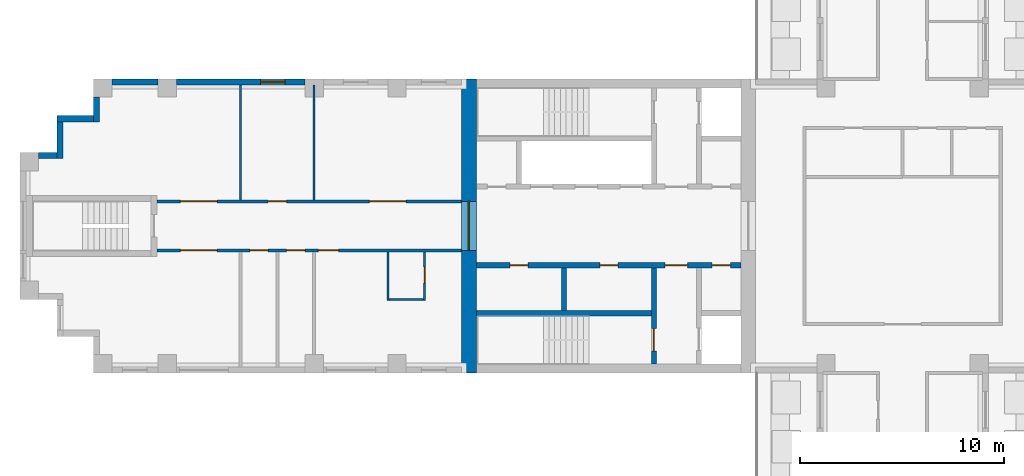
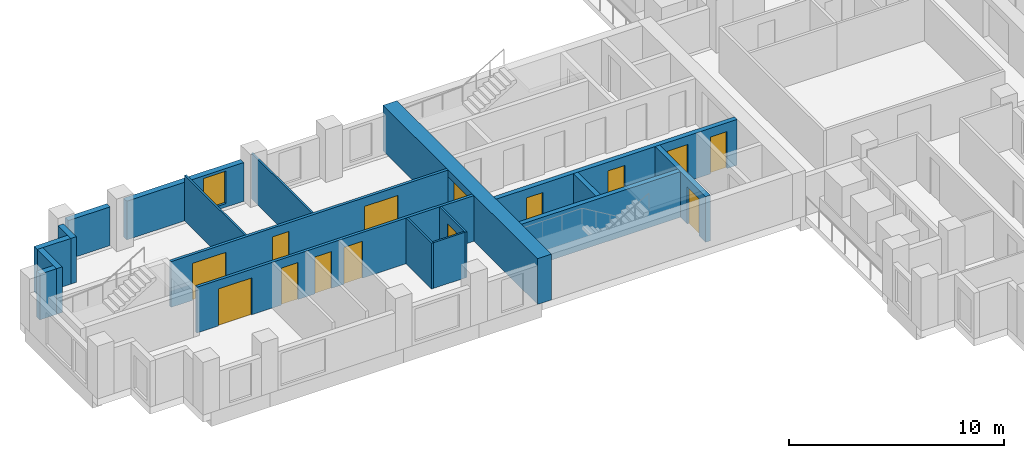
# One storey, part 3 of 11: 18 walls, 14 doors, 1 window, 15 openings.
"""IFC4 building model written with IfcOpenShell, lengths in metres."""

import ifcopenshell
import ifcopenshell.guid

model = None  # the IFC model being written
_history = None  # IfcOwnerHistory: only IFC2X3 demands one
_inside = {}  # id of a spatial element -> (the spatial element, [elements in it])
_under = {}  # id of a project, library or spatial element -> (it, [spatial elements below it])
_declared = {}  # id of a project -> (the project, [libraries it declares])
_typed = {}  # id of a type object -> (the type object, [elements of that type])
_made_of = {}  # id of a material, layer set ... -> (it, [elements and type objects made of it])


def new_model(schema):
    """Start an empty IFC model of exactly this schema.

    Asked for "IFC4X3", IfcOpenShell would pick the latest addendum, in which some entities
    have other attributes; the version numbers below select the first issue.
    IFC2X3 requires an IfcOwnerHistory on every rooted entity: one is made here for all.
    """
    global model, _history
    if schema == "IFC4X3":
        model = ifcopenshell.file(schema_version=(4, 3, 0, 0))
    else:
        model = ifcopenshell.file(schema=schema)
    _inside.clear()
    _under.clear()
    _declared.clear()
    _typed.clear()
    _made_of.clear()
    _history = None
    if model.schema == "IFC2X3":
        org = make("IfcOrganization", Name="unknown")
        user = make(
            "IfcPersonAndOrganization",
            ThePerson=make("IfcPerson", FamilyName="unknown"),
            TheOrganization=org,
        )
        app = make(
            "IfcApplication",
            ApplicationDeveloper=org,
            Version="unknown",
            ApplicationFullName="unknown",
            ApplicationIdentifier="unknown",
        )
        _history = make(
            "IfcOwnerHistory",
            OwningUser=user,
            OwningApplication=app,
            ChangeAction="ADDED",
            CreationDate=0,
        )
    return model


def make(cls, **values):
    """One entity of the class cls with the attributes given. An attribute that is None is left unset."""
    return model.create_entity(
        cls, **{name: value for name, value in values.items() if value is not None}
    )


def rooted(cls, **values):
    """An entity with a GlobalId (a new one), such as an element, a storey or a relation."""
    return make(cls, GlobalId=ifcopenshell.guid.new(), OwnerHistory=_history, **values)


def si_unit(unit_type, name, prefix=None):
    """IfcSIUnit, for example si_unit("LENGTHUNIT", "METRE", prefix="MILLI")."""
    return make("IfcSIUnit", UnitType=unit_type, Prefix=prefix, Name=name)


def assignment(units):
    """IfcUnitAssignment: the units of a project."""
    return None if units is None else make("IfcUnitAssignment", Units=units)


def point(xyz):
    """IfcCartesianPoint."""
    return None if xyz is None else make("IfcCartesianPoint", Coordinates=xyz)


def direction(xyz):
    """IfcDirection."""
    return None if xyz is None else make("IfcDirection", DirectionRatios=xyz)


def frame(location, z_axis=None, x_axis=None):
    """IfcAxis2Placement3D, a coordinate frame: its origin and axes. An axis left out is left unset."""
    return make(
        "IfcAxis2Placement3D",
        Location=point(location),
        Axis=direction(z_axis),
        RefDirection=direction(x_axis),
    )


def frame_2d(location, x_axis=None):
    """IfcAxis2Placement2D, a coordinate frame in the plane: its origin and x axis."""
    return make(
        "IfcAxis2Placement2D", Location=point(location), RefDirection=direction(x_axis)
    )


def origin():
    """The frame at (0, 0, 0) with its axes left unset."""
    return frame((0.0, 0.0, 0.0))


def place(relative_to, where):
    """IfcLocalPlacement: puts the frame where relative to a parent placement (None: the world)."""
    return make(
        "IfcLocalPlacement", PlacementRelTo=relative_to, RelativePlacement=where
    )


def context(
    kind, dimensions, precision=None, world=None, true_north=None, identifier=None
):
    """IfcGeometricRepresentationContext, for example the 3D "Model" context."""
    return make(
        "IfcGeometricRepresentationContext",
        ContextIdentifier=identifier,
        ContextType=kind,
        CoordinateSpaceDimension=dimensions,
        Precision=precision,
        WorldCoordinateSystem=world,
        TrueNorth=true_north,
    )


def subcontext(parent, identifier, kind, view, scale=None):
    """IfcGeometricRepresentationSubContext, for example "Body" below "Model"."""
    return make(
        "IfcGeometricRepresentationSubContext",
        ContextIdentifier=identifier,
        ContextType=kind,
        ParentContext=parent,
        TargetScale=scale,
        TargetView=view,
    )


def project(units=None, contexts=None):
    """IfcProject with its units and contexts."""
    return rooted(
        "IfcProject",
        Name="project",
        RepresentationContexts=contexts,
        UnitsInContext=assignment(units),
    )


def spatial(cls, under=None, at=None, **own):
    """A site, building, storey or space (cls), placed at a placement, below another one or the project."""
    s = rooted(cls, ObjectPlacement=at, **own)
    if under is not None:
        _under.setdefault(under.id(), (under, []))[1].append(s)
    return s


def profile(cls, at=None, kind="AREA", **sizes):
    """A parametric profile (cls). Its sizes go by their IFC names, for example OverallWidth=200.0."""
    return make(cls, ProfileType=kind, Position=at, **sizes)


def rectangle(**sizes):
    """IfcRectangleProfileDef."""
    return profile("IfcRectangleProfileDef", **sizes)


def extrude(swept, where, along, depth):
    """IfcExtrudedAreaSolid: the profile swept, set in the frame where, extruded along a direction by depth."""
    return make(
        "IfcExtrudedAreaSolid",
        SweptArea=swept,
        Position=where,
        ExtrudedDirection=direction(along),
        Depth=depth,
    )


def shape(context_of_items, identifier, shape_type, items):
    """IfcShapeRepresentation: the items that make up one representation, for example the "Body"."""
    return make(
        "IfcShapeRepresentation",
        ContextOfItems=context_of_items,
        RepresentationIdentifier=identifier,
        RepresentationType=shape_type,
        Items=items,
    )


def material(Name=None, Category=None):
    """IfcMaterial."""
    return make("IfcMaterial", Name=Name, Category=Category)


def layer(
    of_material, thickness, ventilated=None, Name=None, Category=None, Priority=None
):
    """IfcMaterialLayer: one layer of a wall or slab, of a material (None: an air gap)."""
    return make(
        "IfcMaterialLayer",
        Material=of_material,
        LayerThickness=thickness,
        IsVentilated=ventilated,
        Name=Name,
        Category=Category,
        Priority=Priority,
    )


def layer_set(layers, Name=None):
    """IfcMaterialLayerSet."""
    return make("IfcMaterialLayerSet", MaterialLayers=layers, LayerSetName=Name)


def made_of(thing, what):
    """Note that an element or type object is made of a material, layer set ...; save() writes the relation."""
    if what is not None:
        _made_of.setdefault(what.id(), (what, []))[1].append(thing)
    return thing


def type_object(cls, material=None, **own):
    """A type object (cls), such as IfcWallType, which elements share."""
    return made_of(rooted(cls, **own), material)


def element(
    cls,
    number,
    at=None,
    inside=None,
    cuts=None,
    type_object=None,
    material=None,
    context=None,
    identifier="Body",
    shape_type=None,
    held_by="IfcProductDefinitionShape",
    body=None,
    shapes=None,
    **own,
):
    """One element of the class cls, such as IfcWall. Its Tag is "e" and its number.

    at: its placement. inside: the storey or other place that contains it. cuts: it is an
    opening in that element (IfcRelVoidsElement). A single representation is given by context,
    identifier, shape_type and body (its items); several are given by shapes. held_by: the class
    of the entity that holds the representations. save() writes the other relations.
    """
    e = rooted(cls, Tag="e%d" % number, ObjectPlacement=at, **own)
    if body is not None:
        shapes = [shape(context, identifier, shape_type, body)]
    if shapes is not None:
        e.Representation = make(held_by, Representations=shapes)
    if inside is not None:
        _inside.setdefault(inside.id(), (inside, []))[1].append(e)
    if cuts is not None:
        rooted(
            "IfcRelVoidsElement", RelatingBuildingElement=cuts, RelatedOpeningElement=e
        )
    if type_object is not None:
        _typed.setdefault(type_object.id(), (type_object, []))[1].append(e)
    return made_of(e, material)


def fill(opening, filler):
    """IfcRelFillsElement: the door or window that sits in an opening."""
    return rooted(
        "IfcRelFillsElement",
        RelatingOpeningElement=opening,
        RelatedBuildingElement=filler,
    )


def aggregate(whole, parts):
    """IfcRelAggregates: a whole, such as a stair, and the parts it consists of."""
    return rooted("IfcRelAggregates", RelatingObject=whole, RelatedObjects=parts)


def save(model, path):
    """Write the relations noted so far, then the file.

    IfcRelAggregates (storeys below a building ...), IfcRelContainedInSpatialStructure (elements
    in a storey), IfcRelDefinesByType, IfcRelAssociatesMaterial and IfcRelDeclares: one each for
    every whole, place, type object, material and project.
    """
    for whole, parts in _under.values():
        aggregate(whole, parts)
    for where, things in _inside.values():
        rooted(
            "IfcRelContainedInSpatialStructure",
            RelatedElements=things,
            RelatingStructure=where,
        )
    for kind, things in _typed.values():
        rooted("IfcRelDefinesByType", RelatedObjects=things, RelatingType=kind)
    for what, things in _made_of.values():
        rooted("IfcRelAssociatesMaterial", RelatedObjects=things, RelatingMaterial=what)
    for by, libraries in _declared.values():
        rooted("IfcRelDeclares", RelatingContext=by, RelatedDefinitions=libraries)
    model.write(path)


model = new_model("IFC4")

# Units and contexts
model_context = context("Model", 3, precision=1e-05, world=origin(), true_north=direction((0.0, 1.0)))
body_context = subcontext(model_context, "Body", "Model", "MODEL_VIEW")
ifc_project = project(units=[si_unit("LENGTHUNIT", "METRE"), si_unit("AREAUNIT", "SQUARE_METRE"), si_unit("VOLUMEUNIT", "CUBIC_METRE"), si_unit("PLANEANGLEUNIT", "RADIAN"), si_unit("MASSUNIT", "GRAM", prefix="KILO")], contexts=[model_context])

# Site, building, storey
site_placement = place(None, origin())
site = spatial("IfcSite", under=ifc_project, at=site_placement, CompositionType="ELEMENT")
building_placement = place(site_placement, origin())
building = spatial("IfcBuilding", under=site, at=building_placement, Name="Fustian Cross Tower", CompositionType="ELEMENT")
storey_placement = place(building_placement, frame((0.0, 0.0, 138.300048828125)))
storey = spatial("IfcBuildingStorey", under=building, at=storey_placement, Name="L43", CompositionType="ELEMENT", Elevation=138.300048828125)

# Wall, openings, doors
ifc_material_1 = material(Name="Plasterboard on steel stud", Category="steel")
ifc_layer_1 = layer(ifc_material_1, 0.14990234375)
ifc_layer_set_1 = layer_set([ifc_layer_1], Name="Plasterboard on steel stud")
wall_type_1 = type_object("IfcWallType", Name="COMPARTMENT WALL 150 EI 60", PredefinedType="PARTITIONING", material=ifc_layer_set_1)
wall_1_placement = place(storey_placement, frame((-36.5, -1.199951171875, 0.0), z_axis=(0.0, 0.0, 1.0), x_axis=(1.0, 0.0, 0.0)))
wall_1 = element("IfcWall", 1, at=wall_1_placement, inside=storey, type_object=wall_type_1, Name="Partition 1", PredefinedType="PARTITIONING", context=body_context, shape_type="SweptSolid", body=[
    extrude(rectangle(XDim=14.89990234375, YDim=0.14990234375, at=frame_2d((7.449951171875, 0.0))), origin(), (0.0, 0.0, 1.0), 2.599853515625),
])
opening_1_placement = place(wall_1_placement, frame((7.89990234375, 0.0, 0.0)))
opening_1 = element("IfcOpeningElement", 2, at=opening_1_placement, cuts=wall_1, Name="Opening D20021", PredefinedType="OPENING", context=body_context, shape_type="SweptSolid", body=[
    extrude(rectangle(XDim=1.0, YDim=2.10009765625, at=frame_2d((0.5, 1.050048828125))), frame((0.0, 0.0849609375, 0.0), z_axis=(0.0, -1.0, 0.0), x_axis=(1.0, 0.0, 0.0)), (0.0, 0.0, 1.0), 0.169921875),
])
opening_2_placement = place(wall_1_placement, frame((6.35009765625, 0.0, 0.0)))
opening_2 = element("IfcOpeningElement", 3, at=opening_2_placement, cuts=wall_1, Name="Opening D20022", PredefinedType="OPENING", context=body_context, shape_type="SweptSolid", body=[
    extrude(rectangle(XDim=0.89990234375, YDim=2.10009765625, at=frame_2d((0.449951171875, 1.050048828125))), frame((0.0, 0.0849609375, 0.0), z_axis=(0.0, -1.0, 0.0), x_axis=(1.0, 0.0, 0.0)), (0.0, 0.0, 1.0), 0.169921875),
])
opening_3_placement = place(wall_1_placement, frame((4.550048828125, 0.0, 0.0)))
opening_3 = element("IfcOpeningElement", 4, at=opening_3_placement, cuts=wall_1, Name="Opening D20023", PredefinedType="OPENING", context=body_context, shape_type="SweptSolid", body=[
    extrude(rectangle(XDim=0.89990234375, YDim=2.10009765625, at=frame_2d((0.449951171875, 1.050048828125))), frame((0.0, 0.0849609375, 0.0), z_axis=(0.0, -1.0, 0.0), x_axis=(1.0, 0.0, 0.0)), (0.0, 0.0, 1.0), 0.169921875),
])
opening_4_placement = place(wall_1_placement, frame((1.14990234375, 0.0, 0.0)))
opening_4 = element("IfcOpeningElement", 5, at=opening_4_placement, cuts=wall_1, Name="Opening D20024", PredefinedType="OPENING", context=body_context, shape_type="SweptSolid", body=[
    extrude(rectangle(XDim=1.800048828125, YDim=2.10009765625, at=frame_2d((0.89990234375, 1.050048828125))), frame((0.0, 0.0849609375, 0.0), z_axis=(0.0, -1.0, 0.0), x_axis=(1.0, 0.0, 0.0)), (0.0, 0.0, 1.0), 0.169921875),
])
ifc_material_2 = material(Name="Timber fire door set", Category="wood")
door_type_1 = type_object("IfcDoorType", Name="FIRE DOUBLE DOOR 1800 FD30S", OperationType="DOUBLE_DOOR_DOUBLE_SWING", PredefinedType="DOOR", material=ifc_material_2)
door_1_placement = place(opening_4_placement, origin())
door_1 = element("IfcDoor", 6, at=door_1_placement, inside=storey, type_object=door_type_1, Name="Door D20024", OperationType="DOUBLE_DOOR_DOUBLE_SWING", OverallHeight=2.10009765625, OverallWidth=1.800048828125, PredefinedType="DOOR", context=body_context, shape_type="SweptSolid", body=[
    extrude(rectangle(XDim=1.800048828125, YDim=2.10009765625, at=frame_2d((0.89990234375, 1.050048828125))), frame((0.0, 0.02490234375, 0.0), z_axis=(0.0, -1.0, 0.0), x_axis=(1.0, 0.0, 0.0)), (0.0, 0.0, 1.0), 0.050048828125),
])
fill(opening_4, door_1)
ifc_material_3 = material(Name="Timber fire door set", Category="wood")
door_type_2 = type_object("IfcDoorType", Name="FIRE SWING DOOR 1000 FD30S", OperationType="SINGLE_SWING_LEFT", PredefinedType="DOOR", material=ifc_material_3)
door_2_placement = place(opening_1_placement, frame((1.0, 0.0, 0.0), z_axis=(0.0, 0.0, 1.0), x_axis=(-1.0, 0.0, 0.0)))
door_2 = element("IfcDoor", 7, at=door_2_placement, inside=storey, type_object=door_type_2, Name="Door D20021", OperationType="SINGLE_SWING_RIGHT", OverallHeight=2.10009765625, OverallWidth=1.0, PredefinedType="DOOR", context=body_context, shape_type="SweptSolid", body=[
    extrude(rectangle(XDim=1.0, YDim=2.10009765625, at=frame_2d((0.5, 1.050048828125))), frame((0.0, 0.02490234375, 0.0), z_axis=(0.0, -1.0, 0.0), x_axis=(1.0, 0.0, 0.0)), (0.0, 0.0, 1.0), 0.050048828125),
])
fill(opening_1, door_2)
ifc_material_4 = material(Name="Timber fire door set", Category="wood")
door_type_3 = type_object("IfcDoorType", Name="FIRE SWING DOOR 900 FD30S", OperationType="SINGLE_SWING_LEFT", PredefinedType="DOOR", material=ifc_material_4)
door_3_placement = place(opening_2_placement, origin())
door_3 = element("IfcDoor", 8, at=door_3_placement, inside=storey, type_object=door_type_3, Name="Door D20022", OperationType="SINGLE_SWING_LEFT", OverallHeight=2.10009765625, OverallWidth=0.89990234375, PredefinedType="DOOR", context=body_context, shape_type="SweptSolid", body=[
    extrude(rectangle(XDim=0.89990234375, YDim=2.10009765625, at=frame_2d((0.449951171875, 1.050048828125))), frame((0.0, 0.02490234375, 0.0), z_axis=(0.0, -1.0, 0.0), x_axis=(1.0, 0.0, 0.0)), (0.0, 0.0, 1.0), 0.050048828125),
])
fill(opening_2, door_3)
door_4_placement = place(opening_3_placement, frame((0.89990234375, 0.0, 0.0), z_axis=(0.0, 0.0, 1.0), x_axis=(-1.0, 0.0, 0.0)))
door_4 = element("IfcDoor", 9, at=door_4_placement, inside=storey, type_object=door_type_3, Name="Door D20023", OperationType="SINGLE_SWING_LEFT", OverallHeight=2.10009765625, OverallWidth=0.89990234375, PredefinedType="DOOR", context=body_context, shape_type="SweptSolid", body=[
    extrude(rectangle(XDim=0.89990234375, YDim=2.10009765625, at=frame_2d((0.449951171875, 1.050048828125))), frame((0.0, 0.02490234375, 0.0), z_axis=(0.0, -1.0, 0.0), x_axis=(1.0, 0.0, 0.0)), (0.0, 0.0, 1.0), 0.050048828125),
])
fill(opening_3, door_4)

wall_2_placement = place(storey_placement, frame((-36.5, 1.199951171875, 0.0), z_axis=(0.0, 0.0, 1.0), x_axis=(1.0, 0.0, 0.0)))
wall_2 = element("IfcWall", 10, at=wall_2_placement, inside=storey, type_object=wall_type_1, Name="Partition 2", PredefinedType="PARTITIONING", context=body_context, shape_type="SweptSolid", body=[
    extrude(rectangle(XDim=14.89990234375, YDim=0.14990234375, at=frame_2d((7.449951171875, 0.0))), origin(), (0.0, 0.0, 1.0), 2.599853515625),
])
opening_5_placement = place(wall_2_placement, frame((10.39990234375, 0.0, 0.0)))
opening_5 = element("IfcOpeningElement", 11, at=opening_5_placement, cuts=wall_2, Name="Opening D20025", PredefinedType="OPENING", context=body_context, shape_type="SweptSolid", body=[
    extrude(rectangle(XDim=1.800048828125, YDim=2.10009765625, at=frame_2d((0.89990234375, 1.050048828125))), frame((0.0, 0.0849609375, 0.0), z_axis=(0.0, -1.0, 0.0), x_axis=(1.0, 0.0, 0.0)), (0.0, 0.0, 1.0), 0.169921875),
])
opening_6_placement = place(wall_2_placement, frame((5.449951171875, 0.0, 0.0)))
opening_6 = element("IfcOpeningElement", 12, at=opening_6_placement, cuts=wall_2, Name="Opening D20026", PredefinedType="OPENING", context=body_context, shape_type="SweptSolid", body=[
    extrude(rectangle(XDim=0.89990234375, YDim=2.10009765625, at=frame_2d((0.449951171875, 1.050048828125))), frame((0.0, 0.0849609375, 0.0), z_axis=(0.0, -1.0, 0.0), x_axis=(1.0, 0.0, 0.0)), (0.0, 0.0, 1.0), 0.169921875),
])
opening_7_placement = place(wall_2_placement, frame((1.14990234375, 0.0, 0.0)))
opening_7 = element("IfcOpeningElement", 13, at=opening_7_placement, cuts=wall_2, Name="Opening D20027", PredefinedType="OPENING", context=body_context, shape_type="SweptSolid", body=[
    extrude(rectangle(XDim=1.800048828125, YDim=2.10009765625, at=frame_2d((0.89990234375, 1.050048828125))), frame((0.0, 0.0849609375, 0.0), z_axis=(0.0, -1.0, 0.0), x_axis=(1.0, 0.0, 0.0)), (0.0, 0.0, 1.0), 0.169921875),
])
door_5_placement = place(opening_5_placement, frame((1.800048828125, 0.0, 0.0), z_axis=(0.0, 0.0, 1.0), x_axis=(-1.0, 0.0, 0.0)))
door_5 = element("IfcDoor", 14, at=door_5_placement, inside=storey, type_object=door_type_1, Name="Door D20025", OperationType="DOUBLE_DOOR_DOUBLE_SWING", OverallHeight=2.10009765625, OverallWidth=1.800048828125, PredefinedType="DOOR", context=body_context, shape_type="SweptSolid", body=[
    extrude(rectangle(XDim=1.800048828125, YDim=2.10009765625, at=frame_2d((0.89990234375, 1.050048828125))), frame((0.0, 0.02490234375, 0.0), z_axis=(0.0, -1.0, 0.0), x_axis=(1.0, 0.0, 0.0)), (0.0, 0.0, 1.0), 0.050048828125),
])
fill(opening_5, door_5)
door_6_placement = place(opening_7_placement, frame((1.800048828125, 0.0, 0.0), z_axis=(0.0, 0.0, 1.0), x_axis=(-1.0, 0.0, 0.0)))
door_6 = element("IfcDoor", 15, at=door_6_placement, inside=storey, type_object=door_type_1, Name="Door D20027", OperationType="DOUBLE_DOOR_DOUBLE_SWING", OverallHeight=2.10009765625, OverallWidth=1.800048828125, PredefinedType="DOOR", context=body_context, shape_type="SweptSolid", body=[
    extrude(rectangle(XDim=1.800048828125, YDim=2.10009765625, at=frame_2d((0.89990234375, 1.050048828125))), frame((0.0, 0.02490234375, 0.0), z_axis=(0.0, -1.0, 0.0), x_axis=(1.0, 0.0, 0.0)), (0.0, 0.0, 1.0), 0.050048828125),
])
fill(opening_7, door_6)
door_7_placement = place(opening_6_placement, origin())
door_7 = element("IfcDoor", 16, at=door_7_placement, inside=storey, type_object=door_type_3, Name="Door D20026", OperationType="SINGLE_SWING_LEFT", OverallHeight=2.10009765625, OverallWidth=0.89990234375, PredefinedType="DOOR", context=body_context, shape_type="SweptSolid", body=[
    extrude(rectangle(XDim=0.89990234375, YDim=2.10009765625, at=frame_2d((0.449951171875, 1.050048828125))), frame((0.0, 0.02490234375, 0.0), z_axis=(0.0, -1.0, 0.0), x_axis=(1.0, 0.0, 0.0)), (0.0, 0.0, 1.0), 0.050048828125),
])
fill(opening_6, door_7)

# Wall, opening, door
ifc_material_5 = material(Name="Concrete C60/75", Category="concrete")
ifc_layer_2 = layer(ifc_material_5, 0.75)
ifc_layer_set_2 = layer_set([ifc_layer_2], Name="Concrete C60/75")
wall_type_2 = type_object("IfcWallType", Name="CORE END WALL 750 C60/75", PredefinedType="SHEAR", material=ifc_layer_set_2)
wall_3_placement = place(storey_placement, frame((-21.22509765625, -7.199951171875, 0.0), z_axis=(0.0, 0.0, 1.0), x_axis=(0.0, 1.0, 0.0)))
wall_3 = element("IfcWall", 17, at=wall_3_placement, inside=storey, type_object=wall_type_2, Name="Core end wall", PredefinedType="SHEAR", context=body_context, shape_type="SweptSolid", body=[
    extrude(rectangle(XDim=14.39990234375, YDim=0.75, at=frame_2d((7.199951171875, 0.0))), origin(), (0.0, 0.0, 1.0), 2.599853515625),
])
opening_8_placement = place(wall_3_placement, frame((6.0, 0.0, 0.0)))
opening_8 = element("IfcOpeningElement", 18, at=opening_8_placement, cuts=wall_3, Name="Opening CD-18-29", PredefinedType="OPENING", context=body_context, shape_type="SweptSolid", body=[
    extrude(rectangle(XDim=2.39990234375, YDim=2.199951171875, at=frame_2d((1.199951171875, 1.10009765625))), frame((0.0, 0.385009765625, 0.0), z_axis=(0.0, -1.0, 0.0), x_axis=(1.0, 0.0, 0.0)), (0.0, 0.0, 1.0), 0.77001953125),
])
ifc_material_6 = material(Name="Steel", Category="steel")
door_type_4 = type_object("IfcDoorType", Name="FIRE DOOR FD30S DOUBLE 2400X2200", OperationType="DOUBLE_DOOR_DOUBLE_SWING", PredefinedType="DOOR", material=ifc_material_6)
door_8_placement = place(opening_8_placement, frame((2.39990234375, 0.0, 0.0), z_axis=(0.0, 0.0, 1.0), x_axis=(-1.0, 0.0, 0.0)))
door_8 = element("IfcDoor", 19, at=door_8_placement, inside=storey, type_object=door_type_4, Name="Core door CD-18-29", OperationType="DOUBLE_DOOR_DOUBLE_SWING", OverallHeight=2.199951171875, OverallWidth=2.39990234375, PredefinedType="DOOR", context=body_context, shape_type="SweptSolid", body=[
    extrude(rectangle(XDim=2.39990234375, YDim=2.199951171875, at=frame_2d((1.199951171875, 1.10009765625))), frame((0.0, 0.02490234375, 0.0), z_axis=(0.0, -1.0, 0.0), x_axis=(1.0, 0.0, 0.0)), (0.0, 0.0, 1.0), 0.050048828125),
])
fill(opening_8, door_8)

# Wall, openings, doors
ifc_material_7 = material(Name="Concrete C50/60", Category="concrete")
ifc_layer_3 = layer(ifc_material_7, 0.25)
ifc_layer_set_3 = layer_set([ifc_layer_3], Name="Concrete C50/60")
wall_type_3 = type_object("IfcWallType", Name="CORE LOBBY WALL 250 C50/60", PredefinedType="SHEAR", material=ifc_layer_set_3)
wall_4_placement = place(storey_placement, frame((-7.89990234375, -1.925048828125, 0.0), z_axis=(0.0, 0.0, 1.0), x_axis=(-1.0, 0.0, 0.0)))
wall_4 = element("IfcWall", 20, at=wall_4_placement, inside=storey, type_object=wall_type_3, Name="Core lobby wall", PredefinedType="SHEAR", context=body_context, shape_type="SweptSolid", body=[
    extrude(rectangle(XDim=12.9501953125, YDim=0.25, at=frame_2d((6.47509765625, 0.0))), origin(), (0.0, 0.0, 1.0), 2.599853515625),
])
opening_9_placement = place(wall_4_placement, frame((0.52490234375, 0.0, 0.0)))
opening_9 = element("IfcOpeningElement", 21, at=opening_9_placement, cuts=wall_4, Name="Opening CD-18-25", PredefinedType="OPENING", context=body_context, shape_type="SweptSolid", body=[
    extrude(rectangle(XDim=0.89990234375, YDim=2.10009765625, at=frame_2d((0.449951171875, 1.050048828125))), frame((0.0, 0.135009765625, 0.0), z_axis=(0.0, -1.0, 0.0), x_axis=(1.0, 0.0, 0.0)), (0.0, 0.0, 1.0), 0.27001953125),
])
opening_10_placement = place(wall_4_placement, frame((2.625, 0.0, 0.0)))
opening_10 = element("IfcOpeningElement", 22, at=opening_10_placement, cuts=wall_4, Name="Opening CD-18-27", PredefinedType="OPENING", context=body_context, shape_type="SweptSolid", body=[
    extrude(rectangle(XDim=1.10009765625, YDim=2.10009765625, at=frame_2d((0.550048828125, 1.050048828125))), frame((0.0, 0.135009765625, 0.0), z_axis=(0.0, -1.0, 0.0), x_axis=(1.0, 0.0, 0.0)), (0.0, 0.0, 1.0), 0.27001953125),
])
opening_11_placement = place(wall_4_placement, frame((6.02490234375, 0.0, 0.0)))
opening_11 = element("IfcOpeningElement", 23, at=opening_11_placement, cuts=wall_4, Name="Opening CD-18-31", PredefinedType="OPENING", context=body_context, shape_type="SweptSolid", body=[
    extrude(rectangle(XDim=0.89990234375, YDim=2.10009765625, at=frame_2d((0.449951171875, 1.050048828125))), frame((0.0, 0.135009765625, 0.0), z_axis=(0.0, -1.0, 0.0), x_axis=(1.0, 0.0, 0.0)), (0.0, 0.0, 1.0), 0.27001953125),
])
opening_12_placement = place(wall_4_placement, frame((10.425048828125, 0.0, 0.0)))
opening_12 = element("IfcOpeningElement", 24, at=opening_12_placement, cuts=wall_4, Name="Opening CD-18-32", PredefinedType="OPENING", context=body_context, shape_type="SweptSolid", body=[
    extrude(rectangle(XDim=0.89990234375, YDim=2.10009765625, at=frame_2d((0.449951171875, 1.050048828125))), frame((0.0, 0.135009765625, 0.0), z_axis=(0.0, -1.0, 0.0), x_axis=(1.0, 0.0, 0.0)), (0.0, 0.0, 1.0), 0.27001953125),
])
ifc_material_8 = material(Name="Steel", Category="steel")
door_type_5 = type_object("IfcDoorType", Name="FIRE DOOR FD30S 1100X2100", OperationType="SINGLE_SWING_LEFT", PredefinedType="DOOR", material=ifc_material_8)
door_9_placement = place(opening_10_placement, frame((1.10009765625, 0.0, 0.0), z_axis=(0.0, 0.0, 1.0), x_axis=(-1.0, 0.0, 0.0)))
door_9 = element("IfcDoor", 25, at=door_9_placement, inside=storey, type_object=door_type_5, Name="Core door CD-18-27", OperationType="SINGLE_SWING_RIGHT", OverallHeight=2.10009765625, OverallWidth=1.10009765625, PredefinedType="DOOR", context=body_context, shape_type="SweptSolid", body=[
    extrude(rectangle(XDim=1.10009765625, YDim=2.10009765625, at=frame_2d((0.550048828125, 1.050048828125))), frame((0.0, 0.02490234375, 0.0), z_axis=(0.0, -1.0, 0.0), x_axis=(1.0, 0.0, 0.0)), (0.0, 0.0, 1.0), 0.050048828125),
])
fill(opening_10, door_9)
ifc_material_9 = material(Name="Steel", Category="steel")
door_type_6 = type_object("IfcDoorType", Name="FIRE DOOR FD30S 900X2100", OperationType="SINGLE_SWING_LEFT", PredefinedType="DOOR", material=ifc_material_9)
door_10_placement = place(opening_9_placement, origin())
door_10 = element("IfcDoor", 26, at=door_10_placement, inside=storey, type_object=door_type_6, Name="Core door CD-18-25", OperationType="SINGLE_SWING_LEFT", OverallHeight=2.10009765625, OverallWidth=0.89990234375, PredefinedType="DOOR", context=body_context, shape_type="SweptSolid", body=[
    extrude(rectangle(XDim=0.89990234375, YDim=2.10009765625, at=frame_2d((0.449951171875, 1.050048828125))), frame((0.0, 0.02490234375, 0.0), z_axis=(0.0, -1.0, 0.0), x_axis=(1.0, 0.0, 0.0)), (0.0, 0.0, 1.0), 0.050048828125),
])
fill(opening_9, door_10)
door_11_placement = place(opening_11_placement, origin())
door_11 = element("IfcDoor", 27, at=door_11_placement, inside=storey, type_object=door_type_6, Name="Core door CD-18-31", OperationType="SINGLE_SWING_RIGHT", OverallHeight=2.10009765625, OverallWidth=0.89990234375, PredefinedType="DOOR", context=body_context, shape_type="SweptSolid", body=[
    extrude(rectangle(XDim=0.89990234375, YDim=2.10009765625, at=frame_2d((0.449951171875, 1.050048828125))), frame((0.0, 0.02490234375, 0.0), z_axis=(0.0, -1.0, 0.0), x_axis=(1.0, 0.0, 0.0)), (0.0, 0.0, 1.0), 0.050048828125),
])
fill(opening_11, door_11)
door_12_placement = place(opening_12_placement, origin())
door_12 = element("IfcDoor", 28, at=door_12_placement, inside=storey, type_object=door_type_6, Name="Core door CD-18-32", OperationType="SINGLE_SWING_RIGHT", OverallHeight=2.10009765625, OverallWidth=0.89990234375, PredefinedType="DOOR", context=body_context, shape_type="SweptSolid", body=[
    extrude(rectangle(XDim=0.89990234375, YDim=2.10009765625, at=frame_2d((0.449951171875, 1.050048828125))), frame((0.0, 0.02490234375, 0.0), z_axis=(0.0, -1.0, 0.0), x_axis=(1.0, 0.0, 0.0)), (0.0, 0.0, 1.0), 0.050048828125),
])
fill(opening_12, door_12)

# Wall
ifc_material_10 = material(Name="Concrete C50/60", Category="concrete")
ifc_layer_4 = layer(ifc_material_10, 0.25)
ifc_layer_set_4 = layer_set([ifc_layer_4], Name="Concrete C50/60")
wall_type_4 = type_object("IfcWallType", Name="CORE SHAFT WALL 250 C50/60", PredefinedType="SHEAR", material=ifc_layer_set_4)
wall_5_placement = place(storey_placement, frame((-12.300048828125, -4.27490234375, 0.0), z_axis=(0.0, 0.0, 1.0), x_axis=(-1.0, 0.0, 0.0)))
element("IfcWall", 29, at=wall_5_placement, inside=storey, type_object=wall_type_4, Name="Core shaft wall", PredefinedType="SHEAR", context=body_context, shape_type="SweptSolid", body=[
    extrude(rectangle(XDim=8.550048828125, YDim=0.25, at=frame_2d((4.27490234375, 0.0))), origin(), (0.0, 0.0, 1.0), 2.599853515625),
])

# Wall, opening, door
wall_6_placement = place(storey_placement, frame((-12.175048828125, -2.050048828125, 0.0), z_axis=(0.0, 0.0, 1.0), x_axis=(0.0, -1.0, 0.0)))
wall_6 = element("IfcWall", 30, at=wall_6_placement, inside=storey, type_object=wall_type_4, Name="Core shaft wall", PredefinedType="SHEAR", context=body_context, shape_type="SweptSolid", body=[
    extrude(rectangle(XDim=4.699951171875, YDim=0.25, at=frame_2d((2.35009765625, 0.0))), origin(), (0.0, 0.0, 1.0), 2.599853515625),
])
opening_13_placement = place(wall_6_placement, frame((2.97509765625, 0.0, 0.0)))
opening_13 = element("IfcOpeningElement", 31, at=opening_13_placement, cuts=wall_6, Name="Opening CD-18-23", PredefinedType="OPENING", context=body_context, shape_type="SweptSolid", body=[
    extrude(rectangle(XDim=1.10009765625, YDim=2.10009765625, at=frame_2d((0.550048828125, 1.050048828125))), frame((0.0, 0.135009765625, 0.0), z_axis=(0.0, -1.0, 0.0), x_axis=(1.0, 0.0, 0.0)), (0.0, 0.0, 1.0), 0.27001953125),
])
ifc_material_11 = material(Name="Steel", Category="steel")
door_type_7 = type_object("IfcDoorType", Name="FIRE DOOR FD60S 1100X2100", OperationType="SINGLE_SWING_LEFT", PredefinedType="DOOR", material=ifc_material_11)
door_13_placement = place(opening_13_placement, frame((1.10009765625, 0.0, 0.0), z_axis=(0.0, 0.0, 1.0), x_axis=(-1.0, 0.0, 0.0)))
door_13 = element("IfcDoor", 32, at=door_13_placement, inside=storey, type_object=door_type_7, Name="Core door CD-18-23", OperationType="SINGLE_SWING_RIGHT", OverallHeight=2.10009765625, OverallWidth=1.10009765625, PredefinedType="DOOR", context=body_context, shape_type="SweptSolid", body=[
    extrude(rectangle(XDim=1.10009765625, YDim=2.10009765625, at=frame_2d((0.550048828125, 1.050048828125))), frame((0.0, 0.02490234375, 0.0), z_axis=(0.0, -1.0, 0.0), x_axis=(1.0, 0.0, 0.0)), (0.0, 0.0, 1.0), 0.050048828125),
])
fill(opening_13, door_13)

# Walls
ifc_material_12 = material(Name="Plasterboard on steel stud", Category="steel")
ifc_layer_5 = layer(ifc_material_12, 0.10009765625)
ifc_layer_set_5 = layer_set([ifc_layer_5], Name="Plasterboard on steel stud")
wall_type_5 = type_object("IfcWallType", Name="PARTITION 100 STUD", PredefinedType="PARTITIONING", material=ifc_layer_set_5)
for number, where, z_axis, x_axis, name in (
    (33, (-32.39990234375, 1.27490234375, 0.0), (0.0, 0.0, 1.0), (0.0, 1.0, 0.0), "Partition 4"),
    (34, (-28.800048828125, 1.27490234375, 0.0), (0.0, 0.0, 1.0), (0.0, 1.0, 0.0), "Partition 7"),
):
    element("IfcWall", number, at=place(storey_placement, frame(where, z_axis=z_axis, x_axis=x_axis)), inside=storey, type_object=wall_type_5, Name=name, PredefinedType="PARTITIONING", context=body_context, shape_type="SweptSolid", body=[
        extrude(rectangle(XDim=5.625, YDim=0.10009765625, at=frame_2d((2.8125, 0.0))), origin(), (0.0, 0.0, 1.0), 2.599853515625),
    ])
wall_7_placement = place(storey_placement, frame((-25.199951171875, -3.64990234375, 0.0), z_axis=(0.0, 0.0, 1.0), x_axis=(0.0, 1.0, 0.0)))
element("IfcWall", 35, at=wall_7_placement, inside=storey, type_object=wall_type_5, Name="Partition 8", PredefinedType="PARTITIONING", context=body_context, shape_type="SweptSolid", body=[
    extrude(rectangle(XDim=2.375, YDim=0.10009765625, at=frame_2d((1.1875, 0.0))), origin(), (0.0, 0.0, 1.0), 2.599853515625),
])
wall_8_placement = place(storey_placement, frame((-25.14990234375, -3.60009765625, 0.0), z_axis=(0.0, 0.0, 1.0), x_axis=(1.0, 0.0, 0.0)))
element("IfcWall", 36, at=wall_8_placement, inside=storey, type_object=wall_type_5, Name="Partition 9", PredefinedType="PARTITIONING", context=body_context, shape_type="SweptSolid", body=[
    extrude(rectangle(XDim=1.699951171875, YDim=0.10009765625, at=frame_2d((0.85009765625, 0.0))), origin(), (0.0, 0.0, 1.0), 2.599853515625),
])

# Wall, opening, door
wall_9_placement = place(storey_placement, frame((-23.39990234375, -3.64990234375, 0.0), z_axis=(0.0, 0.0, 1.0), x_axis=(0.0, 1.0, 0.0)))
wall_9 = element("IfcWall", 37, at=wall_9_placement, inside=storey, type_object=wall_type_5, Name="Partition 10", PredefinedType="PARTITIONING", context=body_context, shape_type="SweptSolid", body=[
    extrude(rectangle(XDim=2.375, YDim=0.10009765625, at=frame_2d((1.1875, 0.0))), origin(), (0.0, 0.0, 1.0), 2.599853515625),
])
opening_14_placement = place(wall_9_placement, frame((0.85009765625, 0.0, 0.0)))
opening_14 = element("IfcOpeningElement", 38, at=opening_14_placement, cuts=wall_9, Name="Opening D20020", PredefinedType="OPENING", context=body_context, shape_type="SweptSolid", body=[
    extrude(rectangle(XDim=0.800048828125, YDim=2.10009765625, at=frame_2d((0.39990234375, 1.050048828125))), frame((0.0, 0.06005859375, 0.0), z_axis=(0.0, -1.0, 0.0), x_axis=(1.0, 0.0, 0.0)), (0.0, 0.0, 1.0), 0.1201171875),
])
ifc_material_13 = material(Name="Painted timber", Category="wood")
door_type_8 = type_object("IfcDoorType", Name="SWING DOOR 800", OperationType="SINGLE_SWING_LEFT", PredefinedType="DOOR", material=ifc_material_13)
door_14_placement = place(opening_14_placement, origin())
door_14 = element("IfcDoor", 39, at=door_14_placement, inside=storey, type_object=door_type_8, Name="Door D20020", OperationType="SINGLE_SWING_LEFT", OverallHeight=2.10009765625, OverallWidth=0.800048828125, PredefinedType="DOOR", context=body_context, shape_type="SweptSolid", body=[
    extrude(rectangle(XDim=0.800048828125, YDim=2.10009765625, at=frame_2d((0.39990234375, 1.050048828125))), frame((0.0, 0.02490234375, 0.0), z_axis=(0.0, -1.0, 0.0), x_axis=(1.0, 0.0, 0.0)), (0.0, 0.0, 1.0), 0.050048828125),
])
fill(opening_14, door_14)

# Wall
ifc_material_14 = material(Name="Concrete C40/50", Category="concrete")
ifc_layer_6 = layer(ifc_material_14, 0.25)
ifc_layer_set_6 = layer_set([ifc_layer_6], Name="Concrete C40/50")
wall_type_6 = type_object("IfcWallType", Name="SHAFT PARTITION WALL 250 C40/50", PredefinedType="PARTITIONING", material=ifc_layer_set_6)
wall_10_placement = place(storey_placement, frame((-16.574951171875, -2.050048828125, 0.0), z_axis=(0.0, 0.0, 1.0), x_axis=(0.0, -1.0, 0.0)))
element("IfcWall", 40, at=wall_10_placement, inside=storey, type_object=wall_type_6, Name="Core shaft wall", PredefinedType="PARTITIONING", context=body_context, shape_type="SweptSolid", body=[
    extrude(rectangle(XDim=2.099853515625, YDim=0.25, at=frame_2d((1.0498046875, 0.0))), origin(), (0.0, 0.0, 1.0), 2.599853515625),
])

# Wall, opening, window
ifc_material_15 = material(Name="Dark aluminium cladding on insulated backing wall", Category="aluminium")
ifc_layer_7 = layer(ifc_material_15, 0.300048828125)
ifc_layer_set_7 = layer_set([ifc_layer_7], Name="Dark aluminium cladding on insulated backing wall")
wall_type_7 = type_object("IfcWallType", Name="XW1 EXTERNAL WALL 300", PredefinedType="SOLIDWALL", material=ifc_layer_set_7)
wall_11_placement = place(storey_placement, frame((-29.25, 7.050048828125, 0.0), z_axis=(0.0, 0.0, 1.0), x_axis=(-1.0, 0.0, 0.0)))
wall_11 = element("IfcWall", 41, at=wall_11_placement, inside=storey, type_object=wall_type_7, Name="External wall", PredefinedType="SOLIDWALL", context=body_context, shape_type="SweptSolid", body=[
    extrude(rectangle(XDim=6.300048828125, YDim=0.300048828125, at=frame_2d((3.14990234375, 0.0))), origin(), (0.0, 0.0, 1.0), 2.199951171875),
])
opening_15_placement = place(wall_11_placement, frame((0.97509765625, 0.0, 0.199951171875)))
opening_15 = element("IfcOpeningElement", 42, at=opening_15_placement, cuts=wall_11, Name="Opening WN3", PredefinedType="OPENING", context=body_context, shape_type="SweptSolid", body=[
    extrude(rectangle(XDim=1.199951171875, YDim=1.85009765625, at=frame_2d((0.60009765625, 0.925048828125))), frame((0.0, 0.159912109375, 0.0), z_axis=(0.0, -1.0, 0.0), x_axis=(1.0, 0.0, 0.0)), (0.0, 0.0, 1.0), 0.320068359375),
])
ifc_material_16 = material(Name="Dark anodised aluminium and double glazing", Category="aluminium")
window_type = type_object("IfcWindowType", Name="WN3 WINDOW 1200X1850", PartitioningType="SINGLE_PANEL", PredefinedType="WINDOW", material=ifc_material_16)
window_placement = place(opening_15_placement, origin())
window = element("IfcWindow", 43, at=window_placement, inside=storey, type_object=window_type, Name="Window", OverallHeight=1.85009765625, OverallWidth=1.199951171875, PartitioningType="SINGLE_PANEL", PredefinedType="WINDOW", context=body_context, shape_type="SweptSolid", body=[
    extrude(rectangle(XDim=1.199951171875, YDim=1.85009765625, at=frame_2d((0.60009765625, 0.925048828125))), frame((0.0, 0.030029296875, 0.0), z_axis=(0.0, -1.0, 0.0), x_axis=(1.0, 0.0, 0.0)), (0.0, 0.0, 1.0), 0.06005859375),
])
fill(opening_15, window)

# Walls
wall_12_placement = place(storey_placement, frame((-36.449951171875, 7.050048828125, 0.0), z_axis=(0.0, 0.0, 1.0), x_axis=(-1.0, 0.0, 0.0)))
element("IfcWall", 44, at=wall_12_placement, inside=storey, type_object=wall_type_7, Name="External wall", PredefinedType="SOLIDWALL", context=body_context, shape_type="SweptSolid", body=[
    extrude(rectangle(XDim=2.25, YDim=0.300048828125, at=frame_2d((1.125, 0.0))), origin(), (0.0, 0.0, 1.0), 2.199951171875),
])
wall_13_placement = place(storey_placement, frame((-39.449951171875, 6.300048828125, 0.0), z_axis=(0.0, 0.0, 1.0), x_axis=(0.0, -1.0, 0.0)))
element("IfcWall", 45, at=wall_13_placement, inside=storey, type_object=wall_type_7, Name="External wall", PredefinedType="SOLIDWALL", context=body_context, shape_type="SweptSolid", body=[
    extrude(rectangle(XDim=1.199951171875, YDim=0.300048828125, at=frame_2d((0.60009765625, 0.0))), origin(), (0.0, 0.0, 1.0), 2.599853515625),
])
wall_14_placement = place(storey_placement, frame((-39.60009765625, 5.25, 0.0), z_axis=(0.0, 0.0, 1.0), x_axis=(-1.0, 0.0, 0.0)))
element("IfcWall", 46, at=wall_14_placement, inside=storey, type_object=wall_type_7, Name="External wall", PredefinedType="SOLIDWALL", context=body_context, shape_type="SweptSolid", body=[
    extrude(rectangle(XDim=1.7998046875, YDim=0.300048828125, at=frame_2d((0.89990234375, 0.0))), origin(), (0.0, 0.0, 1.0), 2.599853515625),
])
wall_15_placement = place(storey_placement, frame((-41.25, 5.10009765625, 0.0), z_axis=(0.0, 0.0, 1.0), x_axis=(0.0, -1.0, 0.0)))
element("IfcWall", 47, at=wall_15_placement, inside=storey, type_object=wall_type_7, Name="External wall", PredefinedType="SOLIDWALL", context=body_context, shape_type="SweptSolid", body=[
    extrude(rectangle(XDim=1.800048828125, YDim=0.300048828125, at=frame_2d((0.89990234375, 0.0))), origin(), (0.0, 0.0, 1.0), 2.599853515625),
])
wall_16_placement = place(storey_placement, frame((-41.39990234375, 3.449951171875, 0.0), z_axis=(0.0, 0.0, 1.0), x_axis=(-1.0, 0.0, 0.0)))
element("IfcWall", 48, at=wall_16_placement, inside=storey, type_object=wall_type_7, Name="External wall", PredefinedType="SOLIDWALL", context=body_context, shape_type="SweptSolid", body=[
    extrude(rectangle(XDim=0.900146484375, YDim=0.300048828125, at=frame_2d((0.4501953125, 0.0))), origin(), (0.0, 0.0, 1.0), 2.599853515625),
])

save(model, "model.ifc")
